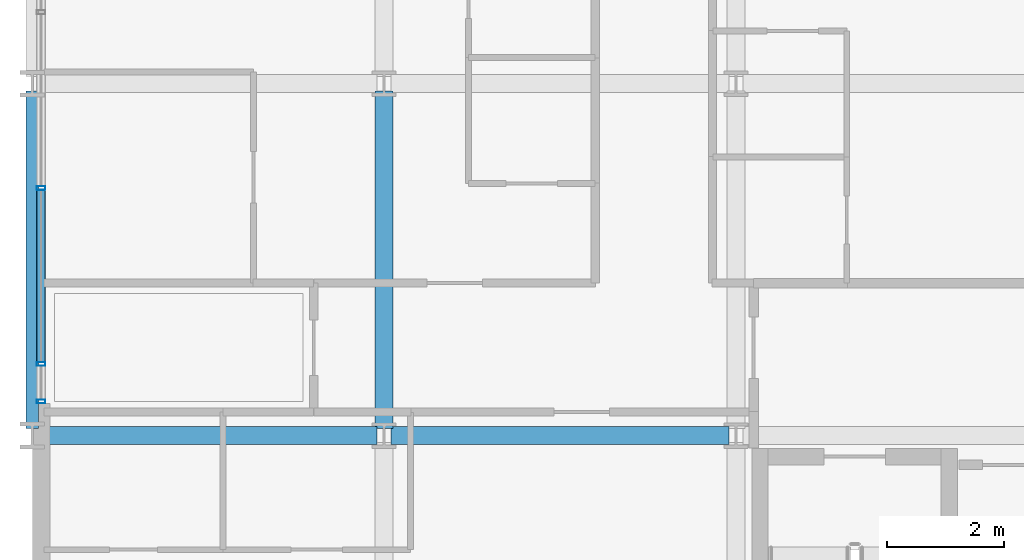
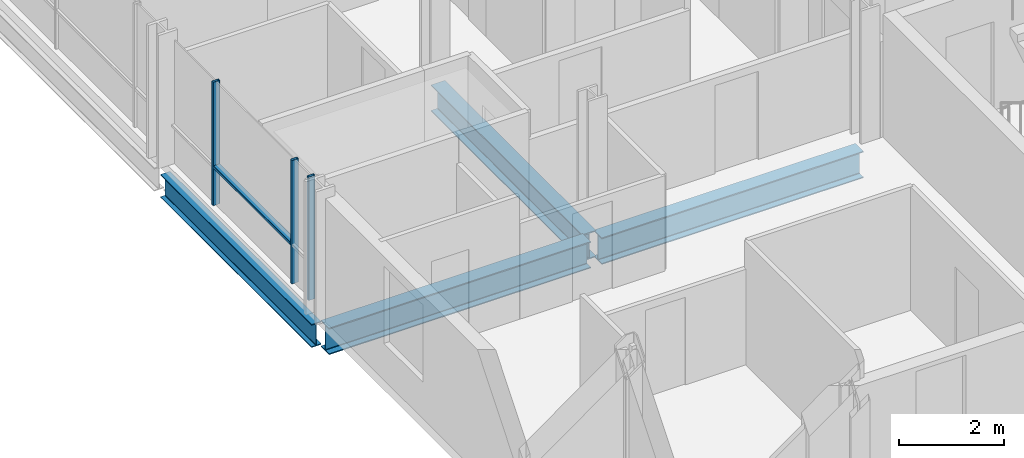
# One storey, part 2 of 41: 4 beams, 4 members, 1 element without a shape of its own.
"""IFC4 building model written with IfcOpenShell, lengths in metres."""

import ifcopenshell
import ifcopenshell.guid

model = None  # the IFC model being written
_history = None  # IfcOwnerHistory: only IFC2X3 demands one
_inside = {}  # id of a spatial element -> (the spatial element, [elements in it])
_under = {}  # id of a project, library or spatial element -> (it, [spatial elements below it])
_declared = {}  # id of a project -> (the project, [libraries it declares])
_typed = {}  # id of a type object -> (the type object, [elements of that type])
_made_of = {}  # id of a material, layer set ... -> (it, [elements and type objects made of it])


def new_model(schema):
    """Start an empty IFC model of exactly this schema.

    Asked for "IFC4X3", IfcOpenShell would pick the latest addendum, in which some entities
    have other attributes; the version numbers below select the first issue.
    IFC2X3 requires an IfcOwnerHistory on every rooted entity: one is made here for all.
    """
    global model, _history
    if schema == "IFC4X3":
        model = ifcopenshell.file(schema_version=(4, 3, 0, 0))
    else:
        model = ifcopenshell.file(schema=schema)
    _inside.clear()
    _under.clear()
    _declared.clear()
    _typed.clear()
    _made_of.clear()
    _history = None
    if model.schema == "IFC2X3":
        org = make("IfcOrganization", Name="unknown")
        user = make(
            "IfcPersonAndOrganization",
            ThePerson=make("IfcPerson", FamilyName="unknown"),
            TheOrganization=org,
        )
        app = make(
            "IfcApplication",
            ApplicationDeveloper=org,
            Version="unknown",
            ApplicationFullName="unknown",
            ApplicationIdentifier="unknown",
        )
        _history = make(
            "IfcOwnerHistory",
            OwningUser=user,
            OwningApplication=app,
            ChangeAction="ADDED",
            CreationDate=0,
        )
    return model


def make(cls, **values):
    """One entity of the class cls with the attributes given. An attribute that is None is left unset."""
    return model.create_entity(
        cls, **{name: value for name, value in values.items() if value is not None}
    )


def rooted(cls, **values):
    """An entity with a GlobalId (a new one), such as an element, a storey or a relation."""
    return make(cls, GlobalId=ifcopenshell.guid.new(), OwnerHistory=_history, **values)


def si_unit(unit_type, name, prefix=None):
    """IfcSIUnit, for example si_unit("LENGTHUNIT", "METRE", prefix="MILLI")."""
    return make("IfcSIUnit", UnitType=unit_type, Prefix=prefix, Name=name)


def assignment(units):
    """IfcUnitAssignment: the units of a project."""
    return None if units is None else make("IfcUnitAssignment", Units=units)


def point(xyz):
    """IfcCartesianPoint."""
    return None if xyz is None else make("IfcCartesianPoint", Coordinates=xyz)


def direction(xyz):
    """IfcDirection."""
    return None if xyz is None else make("IfcDirection", DirectionRatios=xyz)


def frame(location, z_axis=None, x_axis=None):
    """IfcAxis2Placement3D, a coordinate frame: its origin and axes. An axis left out is left unset."""
    return make(
        "IfcAxis2Placement3D",
        Location=point(location),
        Axis=direction(z_axis),
        RefDirection=direction(x_axis),
    )


def frame_2d(location, x_axis=None):
    """IfcAxis2Placement2D, a coordinate frame in the plane: its origin and x axis."""
    return make(
        "IfcAxis2Placement2D", Location=point(location), RefDirection=direction(x_axis)
    )


def origin():
    """The frame at (0, 0, 0) with its axes left unset."""
    return frame((0.0, 0.0, 0.0))


def origin_2d():
    """The frame at (0, 0) in the plane with its x axis left unset."""
    return frame_2d((0.0, 0.0))


def place(relative_to, where):
    """IfcLocalPlacement: puts the frame where relative to a parent placement (None: the world)."""
    return make(
        "IfcLocalPlacement", PlacementRelTo=relative_to, RelativePlacement=where
    )


def context(
    kind, dimensions, precision=None, world=None, true_north=None, identifier=None
):
    """IfcGeometricRepresentationContext, for example the 3D "Model" context."""
    return make(
        "IfcGeometricRepresentationContext",
        ContextIdentifier=identifier,
        ContextType=kind,
        CoordinateSpaceDimension=dimensions,
        Precision=precision,
        WorldCoordinateSystem=world,
        TrueNorth=true_north,
    )


def subcontext(parent, identifier, kind, view, scale=None):
    """IfcGeometricRepresentationSubContext, for example "Body" below "Model"."""
    return make(
        "IfcGeometricRepresentationSubContext",
        ContextIdentifier=identifier,
        ContextType=kind,
        ParentContext=parent,
        TargetScale=scale,
        TargetView=view,
    )


def project(units=None, contexts=None):
    """IfcProject with its units and contexts."""
    return rooted(
        "IfcProject",
        Name="project",
        RepresentationContexts=contexts,
        UnitsInContext=assignment(units),
    )


def spatial(cls, under=None, at=None, **own):
    """A site, building, storey or space (cls), placed at a placement, below another one or the project."""
    s = rooted(cls, ObjectPlacement=at, **own)
    if under is not None:
        _under.setdefault(under.id(), (under, []))[1].append(s)
    return s


def profile(cls, at=None, kind="AREA", **sizes):
    """A parametric profile (cls). Its sizes go by their IFC names, for example OverallWidth=200.0."""
    return make(cls, ProfileType=kind, Position=at, **sizes)


def hollow_rectangle(**sizes):
    """IfcRectangleHollowProfileDef."""
    return profile("IfcRectangleHollowProfileDef", **sizes)


def i_section(**sizes):
    """IfcIShapeProfileDef."""
    return profile("IfcIShapeProfileDef", **sizes)


def extrude(swept, where, along, depth):
    """IfcExtrudedAreaSolid: the profile swept, set in the frame where, extruded along a direction by depth."""
    return make(
        "IfcExtrudedAreaSolid",
        SweptArea=swept,
        Position=where,
        ExtrudedDirection=direction(along),
        Depth=depth,
    )


def shape(context_of_items, identifier, shape_type, items):
    """IfcShapeRepresentation: the items that make up one representation, for example the "Body"."""
    return make(
        "IfcShapeRepresentation",
        ContextOfItems=context_of_items,
        RepresentationIdentifier=identifier,
        RepresentationType=shape_type,
        Items=items,
    )


def material(Name=None, Category=None):
    """IfcMaterial."""
    return make("IfcMaterial", Name=Name, Category=Category)


def layer(
    of_material, thickness, ventilated=None, Name=None, Category=None, Priority=None
):
    """IfcMaterialLayer: one layer of a wall or slab, of a material (None: an air gap)."""
    return make(
        "IfcMaterialLayer",
        Material=of_material,
        LayerThickness=thickness,
        IsVentilated=ventilated,
        Name=Name,
        Category=Category,
        Priority=Priority,
    )


def layer_set(layers, Name=None):
    """IfcMaterialLayerSet."""
    return make("IfcMaterialLayerSet", MaterialLayers=layers, LayerSetName=Name)


def material_profile(
    of_material, cross_section, Name=None, Category=None, Priority=None
):
    """IfcMaterialProfile: a cross section and its material."""
    return make(
        "IfcMaterialProfile",
        Name=Name,
        Material=of_material,
        Profile=cross_section,
        Priority=Priority,
        Category=Category,
    )


def profile_set(profiles, Name=None, composite=None):
    """IfcMaterialProfileSet."""
    return make(
        "IfcMaterialProfileSet",
        Name=Name,
        MaterialProfiles=profiles,
        CompositeProfile=composite,
    )


def made_of(thing, what):
    """Note that an element or type object is made of a material, layer set ...; save() writes the relation."""
    if what is not None:
        _made_of.setdefault(what.id(), (what, []))[1].append(thing)
    return thing


def type_object(cls, material=None, **own):
    """A type object (cls), such as IfcWallType, which elements share."""
    return made_of(rooted(cls, **own), material)


def element(
    cls,
    number,
    at=None,
    inside=None,
    cuts=None,
    type_object=None,
    material=None,
    context=None,
    identifier="Body",
    shape_type=None,
    held_by="IfcProductDefinitionShape",
    body=None,
    shapes=None,
    **own,
):
    """One element of the class cls, such as IfcWall. Its Tag is "e" and its number.

    at: its placement. inside: the storey or other place that contains it. cuts: it is an
    opening in that element (IfcRelVoidsElement). A single representation is given by context,
    identifier, shape_type and body (its items); several are given by shapes. held_by: the class
    of the entity that holds the representations. save() writes the other relations.
    """
    e = rooted(cls, Tag="e%d" % number, ObjectPlacement=at, **own)
    if body is not None:
        shapes = [shape(context, identifier, shape_type, body)]
    if shapes is not None:
        e.Representation = make(held_by, Representations=shapes)
    if inside is not None:
        _inside.setdefault(inside.id(), (inside, []))[1].append(e)
    if cuts is not None:
        rooted(
            "IfcRelVoidsElement", RelatingBuildingElement=cuts, RelatedOpeningElement=e
        )
    if type_object is not None:
        _typed.setdefault(type_object.id(), (type_object, []))[1].append(e)
    return made_of(e, material)


def aggregate(whole, parts):
    """IfcRelAggregates: a whole, such as a stair, and the parts it consists of."""
    return rooted("IfcRelAggregates", RelatingObject=whole, RelatedObjects=parts)


def save(model, path):
    """Write the relations noted so far, then the file.

    IfcRelAggregates (storeys below a building ...), IfcRelContainedInSpatialStructure (elements
    in a storey), IfcRelDefinesByType, IfcRelAssociatesMaterial and IfcRelDeclares: one each for
    every whole, place, type object, material and project.
    """
    for whole, parts in _under.values():
        aggregate(whole, parts)
    for where, things in _inside.values():
        rooted(
            "IfcRelContainedInSpatialStructure",
            RelatedElements=things,
            RelatingStructure=where,
        )
    for kind, things in _typed.values():
        rooted("IfcRelDefinesByType", RelatedObjects=things, RelatingType=kind)
    for what, things in _made_of.values():
        rooted("IfcRelAssociatesMaterial", RelatedObjects=things, RelatingMaterial=what)
    for by, libraries in _declared.values():
        rooted("IfcRelDeclares", RelatingContext=by, RelatedDefinitions=libraries)
    model.write(path)


model = new_model("IFC4")

# Units and contexts
model_context = context("Model", 3, precision=1e-05, world=origin(), true_north=direction((0.0, 1.0)))
body_context = subcontext(model_context, "Body", "Model", "MODEL_VIEW")
ifc_project = project(units=[si_unit("LENGTHUNIT", "METRE"), si_unit("AREAUNIT", "SQUARE_METRE"), si_unit("VOLUMEUNIT", "CUBIC_METRE"), si_unit("PLANEANGLEUNIT", "RADIAN"), si_unit("MASSUNIT", "GRAM", prefix="KILO")], contexts=[model_context])

# Site, building, storey
site_placement = place(None, origin())
site = spatial("IfcSite", under=ifc_project, at=site_placement, CompositionType="ELEMENT")
building_placement = place(site_placement, origin())
building = spatial("IfcBuilding", under=site, at=building_placement, Name="Brevholm Reach", CompositionType="ELEMENT")
storey_placement = place(building_placement, frame((0.0, 0.0, 86.89990234375)))
storey = spatial("IfcBuildingStorey", under=building, at=storey_placement, Name="L25", CompositionType="ELEMENT", Elevation=86.89990234375)

# Beams
ifc_material_1 = material(Name="Structural Steel S355J2", Category="steel")
ifc_material_profile_1 = material_profile(ifc_material_1, i_section(OverallWidth=0.210693359375, OverallDepth=0.53955078125, WebThickness=0.01171875, FlangeThickness=0.018798828125, FilletRadius=0.0126953125, at=origin_2d()), Name="UKB 533x210x109")
ifc_profile_set_1 = profile_set([ifc_material_profile_1], Name="Structural Steel S355J2")
beam_type_1 = type_object("IfcBeamType", Name="BM-SP539", PredefinedType="SPANDREL", material=ifc_profile_set_1)
beam_placement = place(storey_placement, frame((0.0, 10.1201171875, -0.499755859375), z_axis=(0.0, 1.0, 0.0), x_axis=(-1.0, 0.0, 0.0)))
element("IfcBeam", 1, at=beam_placement, inside=storey, type_object=beam_type_1, Name="L25 SP-01B Framing Beam", PredefinedType="SPANDREL", context=body_context, shape_type="SweptSolid", body=[
    extrude(i_section(OverallWidth=0.210693359375, OverallDepth=0.53955078125, WebThickness=0.01171875, FlangeThickness=0.018798828125, FilletRadius=0.0126953125, at=origin_2d()), origin(), (0.0, 0.0, 1.0), 5.759765625),
])
ifc_material_2 = material(Name="Structural Steel S355J2", Category="steel")
ifc_material_profile_2 = material_profile(ifc_material_2, i_section(OverallWidth=0.30712890625, OverallDepth=0.6201171875, WebThickness=0.01416015625, FlangeThickness=0.023681640625, FilletRadius=0.0166015625, at=origin_2d()), Name="UKB 610x305x179")
ifc_profile_set_2 = profile_set([ifc_material_profile_2], Name="Structural Steel S355J2")
beam_type_2 = type_object("IfcBeamType", Name="BM-UKB610H", PredefinedType="USERDEFINED", material=ifc_profile_set_2)
for number, where, z_axis, x_axis, name in (
    (2, (0.1201171875, 10.0, -0.5400390625), (1.0, 0.0, 0.0), (0.0, 1.0, 0.0), "L25 G-06 Framing Beam"),
    (3, (6.1201171875, 10.0, -0.5400390625), (1.0, 0.0, 0.0), (0.0, 1.0, 0.0), "L25 G-06 Framing Beam"),
    (4, (6.0, 10.1201171875, -0.5400390625), (0.0, 1.0, 0.0), (-1.0, 0.0, 0.0), "L25 G-06 Framing Beam"),
):
    element("IfcBeam", number, at=place(storey_placement, frame(where, z_axis=z_axis, x_axis=x_axis)), inside=storey, type_object=beam_type_2, Name=name, ObjectType="GIRDER", PredefinedType="USERDEFINED", context=body_context, shape_type="SweptSolid", body=[
        extrude(i_section(OverallWidth=0.30712890625, OverallDepth=0.6201171875, WebThickness=0.01416015625, FlangeThickness=0.023681640625, FilletRadius=0.0166015625, at=origin_2d()), origin(), (0.0, 0.0, 1.0), 5.759765625),
    ])

# Curtain wall, members
ifc_material_3 = material(Name="Dark Anodised Aluminium 6063-T6 and Solar-Control Glass", Category="aluminium")
ifc_layer = layer(ifc_material_3, 0.14990234375)
ifc_layer_set = layer_set([ifc_layer], Name="Dark Anodised Aluminium 6063-T6 and Solar-Control Glass")
curtain_wall_type = type_object("IfcCurtainWallType", Name="CW-01", PredefinedType="NOTDEFINED", material=ifc_layer_set)
curtain_wall_placement = place(storey_placement, origin())
curtain_wall = element("IfcCurtainWall", 5, at=curtain_wall_placement, inside=storey, type_object=curtain_wall_type, Name="L25 Curtain Wall CW-01", PredefinedType="NOTDEFINED")
ifc_material_4 = material(Name="Dark Anodised Aluminium 6063-T6", Category="aluminium")
ifc_material_profile_3 = material_profile(ifc_material_4, hollow_rectangle(XDim=0.06494140625, YDim=0.14990234375, WallThickness=0.0048828125, InnerFilletRadius=0.0048828125, OuterFilletRadius=0.010009765625, at=origin_2d()), Name="RHS 150x65x5")
ifc_profile_set_3 = profile_set([ifc_material_profile_3], Name="Dark Anodised Aluminium 6063-T6")
member_type_1 = type_object("IfcMemberType", Name="CWM-150", PredefinedType="MULLION", material=ifc_profile_set_3)
member_1_placement = place(storey_placement, frame((0.14990234375, 14.219970703125, 0.0), z_axis=(0.0, 0.0, 1.0), x_axis=(0.0, -1.0, 0.0)))
member_1 = element("IfcMember", 6, at=member_1_placement, type_object=member_type_1, Name="CM-150 Mullion 4", PredefinedType="MULLION", context=body_context, shape_type="SweptSolid", body=[
    extrude(hollow_rectangle(XDim=0.06494140625, YDim=0.14990234375, WallThickness=0.0048828125, InnerFilletRadius=0.0048828125, OuterFilletRadius=0.010009765625, at=origin_2d()), origin(), (0.0, 0.0, 1.0), 2.8701171875),
])
member_2_placement = place(storey_placement, frame((0.14990234375, 11.219970703125, 0.0), z_axis=(0.0, 0.0, 1.0), x_axis=(0.0, -1.0, 0.0)))
member_2 = element("IfcMember", 7, at=member_2_placement, type_object=member_type_1, Name="CM-150 Mullion 5", PredefinedType="MULLION", context=body_context, shape_type="SweptSolid", body=[
    extrude(hollow_rectangle(XDim=0.06494140625, YDim=0.14990234375, WallThickness=0.0048828125, InnerFilletRadius=0.0048828125, OuterFilletRadius=0.010009765625, at=origin_2d()), origin(), (0.0, 0.0, 1.0), 2.8701171875),
])
member_3_placement = place(storey_placement, frame((0.14990234375, 10.58251953125, 0.0), z_axis=(0.0, 0.0, 1.0), x_axis=(0.0, -1.0, 0.0)))
member_3 = element("IfcMember", 8, at=member_3_placement, type_object=member_type_1, Name="CM-150 Mullion 6", PredefinedType="MULLION", context=body_context, shape_type="SweptSolid", body=[
    extrude(hollow_rectangle(XDim=0.06494140625, YDim=0.14990234375, WallThickness=0.0048828125, InnerFilletRadius=0.0048828125, OuterFilletRadius=0.010009765625, at=origin_2d()), origin(), (0.0, 0.0, 1.0), 2.8701171875),
])
ifc_material_5 = material(Name="Dark Anodised Aluminium 6063-T6", Category="aluminium")
ifc_material_profile_4 = material_profile(ifc_material_5, hollow_rectangle(XDim=0.06494140625, YDim=0.14990234375, WallThickness=0.0048828125, InnerFilletRadius=0.0048828125, OuterFilletRadius=0.010009765625, at=origin_2d()), Name="RHS 150x65x5")
ifc_profile_set_4 = profile_set([ifc_material_profile_4], Name="Dark Anodised Aluminium 6063-T6")
member_type_2 = type_object("IfcMemberType", Name="CWT-150", PredefinedType="NOTDEFINED", material=ifc_profile_set_4)
member_4_placement = place(storey_placement, frame((0.14990234375, 14.1875, 0.900146484375), z_axis=(0.0, -1.0, 0.0), x_axis=(0.0, 0.0, 1.0)))
member_4 = element("IfcMember", 9, at=member_4_placement, type_object=member_type_2, Name="CT-150 Transom 4.1", ObjectType="TRANSOM", PredefinedType="USERDEFINED", context=body_context, shape_type="SweptSolid", body=[
    extrude(hollow_rectangle(XDim=0.06494140625, YDim=0.14990234375, WallThickness=0.0048828125, InnerFilletRadius=0.0048828125, OuterFilletRadius=0.010009765625, at=origin_2d()), origin(), (0.0, 0.0, 1.0), 2.93505859375),
])
aggregate(curtain_wall, [member_1, member_2, member_3, member_4])

save(model, "model.ifc")
